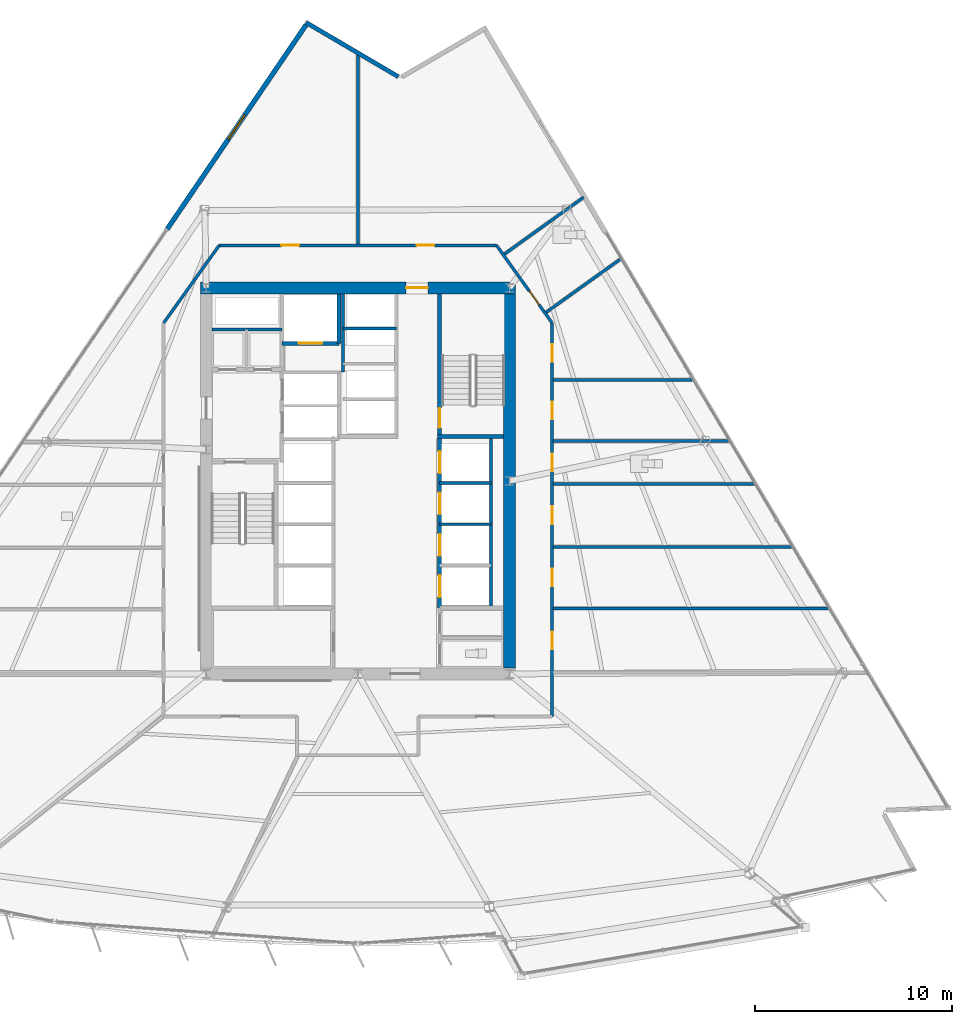
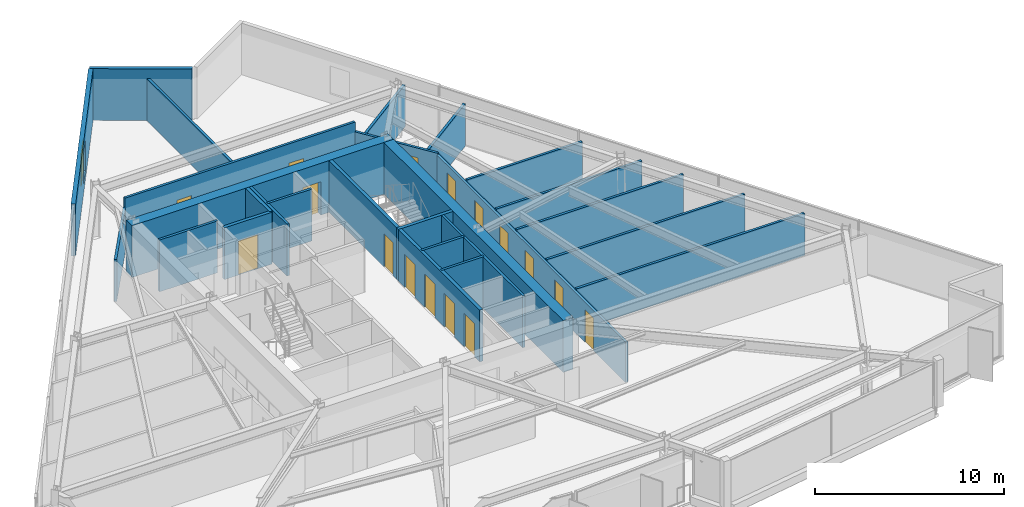
# One storey, part 10 of 18: 27 walls, 16 doors, 1 window, 17 openings.
"""IFC4 building model written with IfcOpenShell, lengths in metres."""

from ifc_helpers import new_model, si_unit, direction, frame, frame_2d, origin, place, context, subcontext, project, spatial, rectangle, extrude, material, layer, layer_set, type_object, element, fill, save


model = new_model("IFC4")

# Units and contexts
model_context = context("Model", 3, precision=1e-05, world=origin(), true_north=direction((0.0, 1.0)))
body_context = subcontext(model_context, "Body", "Model", "MODEL_VIEW")
ifc_project = project(units=[si_unit("LENGTHUNIT", "METRE"), si_unit("AREAUNIT", "SQUARE_METRE"), si_unit("VOLUMEUNIT", "CUBIC_METRE"), si_unit("PLANEANGLEUNIT", "RADIAN"), si_unit("MASSUNIT", "GRAM", prefix="KILO")], contexts=[model_context])

# Site, building, storey
site_placement = place(None, origin())
site = spatial("IfcSite", under=ifc_project, at=site_placement, CompositionType="ELEMENT")
building_placement = place(site_placement, origin())
building = spatial("IfcBuilding", under=site, at=building_placement, Name="Savorim Split Tower", CompositionType="ELEMENT")
storey_placement = place(building_placement, frame((0.0, 0.0, 48.0)))
storey = spatial("IfcBuildingStorey", under=building, at=storey_placement, Name="L12", CompositionType="ELEMENT", Elevation=48.0)

# Wall, opening, door
ifc_material_1 = material(Name="Concrete C60/75", Category="concrete")
ifc_layer_1 = layer(ifc_material_1, 0.60009765625)
ifc_layer_set_1 = layer_set([ifc_layer_1], Name="WAL-COR-SH600")
wall_type_1 = type_object("IfcWallType", Name="WAL-COR-SH600", PredefinedType="SHEAR", material=ifc_layer_set_1)
wall_1_placement = place(storey_placement, frame((8.0, 10.199951171875, 0.0), z_axis=(0.0, 0.0, 1.0), x_axis=(-1.0, 0.0, 0.0)))
wall_1 = element("IfcWall", 1, at=wall_1_placement, inside=storey, type_object=wall_type_1, Name="L12 Offset Core North Shear Wall", PredefinedType="SHEAR", context=body_context, shape_type="SweptSolid", body=[
    extrude(rectangle(XDim=16.0, YDim=0.60009765625, at=frame_2d((8.0, 0.0))), origin(), (0.0, 0.0, 1.0), 3.35009765625),
])
opening_1_placement = place(wall_1_placement, frame((4.449951171875, 0.0, 0.0)))
opening_1 = element("IfcOpeningElement", 2, at=opening_1_placement, cuts=wall_1, Name="Opening DI-03", PredefinedType="OPENING", context=body_context, shape_type="SweptSolid", body=[
    extrude(rectangle(XDim=1.10009765625, YDim=2.14990234375, at=frame_2d((0.550048828125, 1.074951171875))), frame((0.0, 0.31005859375, 0.0), z_axis=(0.0, -1.0, 0.0), x_axis=(1.0, 0.0, 0.0)), (0.0, 0.0, 1.0), 0.6201171875),
])
ifc_material_2 = material(Name="Timber Fire Door Leaf", Category="wood")
door_type_1 = type_object("IfcDoorType", Name="DOR-FIR-1100", OperationType="NOTDEFINED", PredefinedType="DOOR", material=ifc_material_2)
door_1_placement = place(opening_1_placement, origin())
door_1 = element("IfcDoor", 3, at=door_1_placement, inside=storey, type_object=door_type_1, Name="DOR-L12-COR-NLOB - L12 North Corridor Lobby Fire Door", OperationType="SINGLE_SWING_LEFT", OverallHeight=2.14990234375, OverallWidth=1.10009765625, PredefinedType="DOOR", context=body_context, shape_type="SweptSolid", body=[
    extrude(rectangle(XDim=1.10009765625, YDim=2.14990234375, at=frame_2d((0.550048828125, 1.074951171875))), frame((0.0, 0.02490234375, 0.0), z_axis=(0.0, -1.0, 0.0), x_axis=(1.0, 0.0, 0.0)), (0.0, 0.0, 1.0), 0.050048828125),
])
fill(opening_1, door_1)

# Walls
wall_2_placement = place(storey_placement, frame((7.699951171875, 9.89990234375, 0.0), z_axis=(0.0, 0.0, 1.0), x_axis=(0.0, -1.0, 0.0)))
element("IfcWall", 4, at=wall_2_placement, inside=storey, type_object=wall_type_1, Name="L12 Offset Core East Shear Wall", PredefinedType="SHEAR", context=body_context, shape_type="SweptSolid", body=[
    extrude(rectangle(XDim=19.0, YDim=0.60009765625, at=frame_2d((9.5, 0.0))), origin(), (0.0, 0.0, 1.0), 3.35009765625),
])
ifc_material_3 = material(Name="Precast concrete C40/50", Category="concrete")
ifc_layer_2 = layer(ifc_material_3, 0.219970703125)
ifc_layer_set_2 = layer_set([ifc_layer_2], Name="WAL-EXT-CRN220")
wall_type_2 = type_object("IfcWallType", Name="WAL-EXT-CRN220", PredefinedType="SOLIDWALL", material=ifc_layer_set_2)
wall_3_placement = place(storey_placement, frame((-2.634765625, 23.681396484375, 0.0), z_axis=(0.0, 0.0, 1.0), x_axis=(0.862126841454, -0.506692519428, 0.0)))
element("IfcWall", 5, at=wall_3_placement, inside=storey, type_object=wall_type_2, Name="L12 Notched Corner Facade Wall N", PredefinedType="SOLIDWALL", context=body_context, shape_type="SweptSolid", body=[
    extrude(rectangle(XDim=5.439453125, YDim=0.219970703125, at=frame_2d((2.7197265625, 0.0))), origin(), (0.0, 0.0, 1.0), 3.35009765625),
])

# Wall, opening, window
ifc_layer_3 = layer(ifc_material_3, 0.25)
ifc_layer_set_3 = layer_set([ifc_layer_3], Name="WAL-EXT-SPN250")
wall_type_3 = type_object("IfcWallType", Name="WAL-EXT-SPN250", PredefinedType="SOLIDWALL", material=ifc_layer_set_3)
wall_4_placement = place(storey_placement, frame((-9.68408203125, 13.19091796875, 0.0), z_axis=(0.0, 0.0, 1.0), x_axis=(0.562473549685, 0.826815279192, 0.0)))
wall_4 = element("IfcWall", 6, at=wall_4_placement, inside=storey, type_object=wall_type_3, Name="L12 West Operable Window Pier", PredefinedType="SOLIDWALL", context=body_context, shape_type="SweptSolid", body=[
    extrude(rectangle(XDim=12.53564453125, YDim=0.25, at=frame_2d((6.267822265625, 0.0))), origin(), (0.0, 0.0, 1.0), 3.35009765625),
])
opening_2_placement = place(wall_4_placement, frame((5.517822265625, 0.0, 0.6201171875)))
opening_2 = element("IfcOpeningElement", 7, at=opening_2_placement, cuts=wall_4, Name="Opening WN-06", PredefinedType="OPENING", context=body_context, shape_type="SweptSolid", body=[
    extrude(rectangle(XDim=1.5, YDim=2.0, at=frame_2d((0.75, 1.0))), frame((0.0, 0.135009765625, 0.0), z_axis=(0.0, -1.0, 0.0), x_axis=(1.0, 0.0, 0.0)), (0.0, 0.0, 1.0), 0.27001953125),
])
ifc_material_4 = material(Name="Low-E Operable Double Glazing", Category="glass")
window_type = type_object("IfcWindowType", Name="WIN-TWR-1500x2000", PartitioningType="SINGLE_PANEL", PredefinedType="WINDOW", material=ifc_material_4)
window_placement = place(opening_2_placement, origin())
window = element("IfcWindow", 8, at=window_placement, inside=storey, type_object=window_type, Name="L12 West Operable Ventilation Window", OverallHeight=2.0, OverallWidth=1.5, PartitioningType="SINGLE_PANEL", PredefinedType="WINDOW", context=body_context, shape_type="SweptSolid", body=[
    extrude(rectangle(XDim=1.5, YDim=2.0, at=frame_2d((0.75, 1.0))), frame((0.0, 0.030029296875, 0.0), z_axis=(0.0, -1.0, 0.0), x_axis=(1.0, 0.0, 0.0)), (0.0, 0.0, 1.0), 0.06005859375),
])
fill(opening_2, window)

# Wall, opening, door
ifc_material_5 = material(Name="Concrete C50/60", Category="concrete")
ifc_layer_4 = layer(ifc_material_5, 0.199951171875)
ifc_layer_set_4 = layer_set([ifc_layer_4], Name="WAL-INT-RC200")
wall_type_4 = type_object("IfcWallType", Name="WAL-INT-RC200", PredefinedType="SOLIDWALL", material=ifc_layer_set_4)
wall_5_placement = place(storey_placement, frame((4.14990234375, 2.75, 0.0), z_axis=(0.0, 0.0, 1.0), x_axis=(0.0, 1.0, 0.0)))
wall_5 = element("IfcWall", 9, at=wall_5_placement, inside=storey, type_object=wall_type_4, Name="L12 Structural Shaft Wall W-L12-CR07", PredefinedType="SOLIDWALL", context=body_context, shape_type="SweptSolid", body=[
    extrude(rectangle(XDim=7.14990234375, YDim=0.199951171875, at=frame_2d((3.574951171875, 0.0))), origin(), (0.0, 0.0, 1.0), 3.35009765625),
])
opening_3_placement = place(wall_5_placement, frame((0.35009765625, 0.0, 0.0)))
opening_3 = element("IfcOpeningElement", 10, at=opening_3_placement, cuts=wall_5, Name="Opening DI-04", PredefinedType="OPENING", context=body_context, shape_type="SweptSolid", body=[
    extrude(rectangle(XDim=1.0, YDim=2.14990234375, at=frame_2d((0.5, 1.074951171875))), frame((0.0, 0.10986328125, 0.0), z_axis=(0.0, -1.0, 0.0), x_axis=(1.0, 0.0, 0.0)), (0.0, 0.0, 1.0), 0.219970703125),
])
door_type_2 = type_object("IfcDoorType", Name="DOR-FIR-1000", OperationType="NOTDEFINED", PredefinedType="DOOR", material=ifc_material_2)
door_2_placement = place(opening_3_placement, origin())
door_2 = element("IfcDoor", 11, at=door_2_placement, inside=storey, type_object=door_type_2, Name="DR-L12-ST2 - L12 Stair ST-2 Enclosure Door", OperationType="SINGLE_SWING_RIGHT", OverallHeight=2.14990234375, OverallWidth=1.0, PredefinedType="DOOR", context=body_context, shape_type="SweptSolid", body=[
    extrude(rectangle(XDim=1.0, YDim=2.14990234375, at=frame_2d((0.5, 1.074951171875))), frame((0.0, 0.02490234375, 0.0), z_axis=(0.0, -1.0, 0.0), x_axis=(1.0, 0.0, 0.0)), (0.0, 0.0, 1.0), 0.050048828125),
])
fill(opening_3, door_2)

# Wall
wall_6_placement = place(storey_placement, frame((4.050048828125, 2.64990234375, 0.0), z_axis=(0.0, 0.0, 1.0), x_axis=(1.0, 0.0, 0.0)))
element("IfcWall", 12, at=wall_6_placement, inside=storey, type_object=wall_type_4, Name="L12 Structural Shaft Wall W-L12-CR08", PredefinedType="SOLIDWALL", context=body_context, shape_type="SweptSolid", body=[
    extrude(rectangle(XDim=3.349853515625, YDim=0.199951171875, at=frame_2d((1.6748046875, 0.0))), origin(), (0.0, 0.0, 1.0), 3.35009765625),
])

# Wall, opening, door
wall_7_placement = place(storey_placement, frame((-3.85009765625, 7.3798828125, 0.0), z_axis=(0.0, 0.0, 1.0), x_axis=(1.0, 0.0, 0.0)))
wall_7 = element("IfcWall", 13, at=wall_7_placement, inside=storey, type_object=wall_type_4, Name="L12 Partition W-L12-SVLS", PredefinedType="SOLIDWALL", context=body_context, shape_type="SweptSolid", body=[
    extrude(rectangle(XDim=2.900146484375, YDim=0.199951171875, at=frame_2d((1.4501953125, 0.0))), origin(), (0.0, 0.0, 1.0), 3.35009765625),
])
opening_4_placement = place(wall_7_placement, frame((0.85009765625, 0.0, 0.0)))
opening_4 = element("IfcOpeningElement", 14, at=opening_4_placement, cuts=wall_7, Name="Opening LD-SV", PredefinedType="OPENING", context=body_context, shape_type="SweptSolid", body=[
    extrude(rectangle(XDim=1.199951171875, YDim=2.199951171875, at=frame_2d((0.60009765625, 1.10009765625))), frame((0.0, 0.10986328125, 0.0), z_axis=(0.0, -1.0, 0.0), x_axis=(1.0, 0.0, 0.0)), (0.0, 0.0, 1.0), 0.219970703125),
])
ifc_material_6 = material(Name="Charcoal Anodised Aluminium", Category="aluminium")
door_type_3 = type_object("IfcDoorType", Name="DOR-SLD-SV1200", OperationType="NOTDEFINED", PredefinedType="DOOR", material=ifc_material_6)
door_3_placement = place(opening_4_placement, origin())
door_3 = element("IfcDoor", 15, at=door_3_placement, inside=storey, type_object=door_type_3, Name="DR-L12-LD-SVL1 - L12 Service Lift SVL-1 Sliding Landing Door", OperationType="DOUBLE_DOOR_SLIDING", OverallHeight=2.199951171875, OverallWidth=1.199951171875, PredefinedType="DOOR", context=body_context, shape_type="SweptSolid", body=[
    extrude(rectangle(XDim=1.199951171875, YDim=2.199951171875, at=frame_2d((0.60009765625, 1.10009765625))), frame((0.0, 0.02490234375, 0.0), z_axis=(0.0, -1.0, 0.0), x_axis=(1.0, 0.0, 0.0)), (0.0, 0.0, 1.0), 0.050048828125),
])
fill(opening_4, door_3)

# Wall
wall_8_placement = place(storey_placement, frame((-0.949951171875, 7.3798828125, 0.0), z_axis=(0.0, 0.0, 1.0), x_axis=(0.0, 1.0, 0.0)))
element("IfcWall", 16, at=wall_8_placement, inside=storey, type_object=wall_type_4, Name="L12 Partition W-L12-SVLE", PredefinedType="SOLIDWALL", context=body_context, shape_type="SweptSolid", body=[
    extrude(rectangle(XDim=2.51513671875, YDim=0.199951171875, at=frame_2d((1.257568359375, 0.0))), origin(), (0.0, 0.0, 1.0), 3.35009765625),
])

# Wall, openings, doors
wall_9_placement = place(storey_placement, frame((4.14990234375, -6.050048828125, 0.0), z_axis=(0.0, 0.0, 1.0), x_axis=(0.0, 1.0, 0.0)))
wall_9 = element("IfcWall", 17, at=wall_9_placement, inside=storey, type_object=wall_type_4, Name="L12 Partition W-L12-B1FRONT", PredefinedType="SOLIDWALL", context=body_context, shape_type="SweptSolid", body=[
    extrude(rectangle(XDim=8.699951171875, YDim=0.199951171875, at=frame_2d((4.35009765625, 0.0))), origin(), (0.0, 0.0, 1.0), 3.35009765625),
])
opening_5_placement = place(wall_9_placement, frame((0.550048828125, 0.0, 0.0)))
opening_5 = element("IfcOpeningElement", 18, at=opening_5_placement, cuts=wall_9, Name="Opening LD-01", PredefinedType="OPENING", context=body_context, shape_type="SweptSolid", body=[
    extrude(rectangle(XDim=1.10009765625, YDim=2.14990234375, at=frame_2d((0.550048828125, 1.074951171875))), frame((0.0, 0.10986328125, 0.0), z_axis=(0.0, -1.0, 0.0), x_axis=(1.0, 0.0, 0.0)), (0.0, 0.0, 1.0), 0.219970703125),
])
opening_6_placement = place(wall_9_placement, frame((2.64990234375, 0.0, 0.0)))
opening_6 = element("IfcOpeningElement", 19, at=opening_6_placement, cuts=wall_9, Name="Opening LD-01", PredefinedType="OPENING", context=body_context, shape_type="SweptSolid", body=[
    extrude(rectangle(XDim=1.10009765625, YDim=2.14990234375, at=frame_2d((0.550048828125, 1.074951171875))), frame((0.0, 0.10986328125, 0.0), z_axis=(0.0, -1.0, 0.0), x_axis=(1.0, 0.0, 0.0)), (0.0, 0.0, 1.0), 0.219970703125),
])
opening_7_placement = place(wall_9_placement, frame((4.75, 0.0, 0.0)))
opening_7 = element("IfcOpeningElement", 20, at=opening_7_placement, cuts=wall_9, Name="Opening LD-01", PredefinedType="OPENING", context=body_context, shape_type="SweptSolid", body=[
    extrude(rectangle(XDim=1.10009765625, YDim=2.14990234375, at=frame_2d((0.550048828125, 1.074951171875))), frame((0.0, 0.10986328125, 0.0), z_axis=(0.0, -1.0, 0.0), x_axis=(1.0, 0.0, 0.0)), (0.0, 0.0, 1.0), 0.219970703125),
])
opening_8_placement = place(wall_9_placement, frame((6.85009765625, 0.0, 0.0)))
opening_8 = element("IfcOpeningElement", 21, at=opening_8_placement, cuts=wall_9, Name="Opening LD-01", PredefinedType="OPENING", context=body_context, shape_type="SweptSolid", body=[
    extrude(rectangle(XDim=1.10009765625, YDim=2.14990234375, at=frame_2d((0.550048828125, 1.074951171875))), frame((0.0, 0.10986328125, 0.0), z_axis=(0.0, -1.0, 0.0), x_axis=(1.0, 0.0, 0.0)), (0.0, 0.0, 1.0), 0.219970703125),
])
door_type_4 = type_object("IfcDoorType", Name="DOR-SLD-LD1100", OperationType="NOTDEFINED", PredefinedType="DOOR", material=ifc_material_6)
door_4_placement = place(opening_5_placement, origin())
door_4 = element("IfcDoor", 22, at=door_4_placement, inside=storey, type_object=door_type_4, Name="DR-L12-LD-PLL1 - L12 Lift PL-L1 Sliding Landing Door", OperationType="DOUBLE_DOOR_SLIDING", OverallHeight=2.14990234375, OverallWidth=1.10009765625, PredefinedType="DOOR", context=body_context, shape_type="SweptSolid", body=[
    extrude(rectangle(XDim=1.10009765625, YDim=2.14990234375, at=frame_2d((0.550048828125, 1.074951171875))), frame((0.0, 0.02490234375, 0.0), z_axis=(0.0, -1.0, 0.0), x_axis=(1.0, 0.0, 0.0)), (0.0, 0.0, 1.0), 0.050048828125),
])
fill(opening_5, door_4)
door_5_placement = place(opening_6_placement, origin())
door_5 = element("IfcDoor", 23, at=door_5_placement, inside=storey, type_object=door_type_4, Name="DR-L12-LD-PLL2 - L12 Lift PL-L2 Sliding Landing Door", OperationType="DOUBLE_DOOR_SLIDING", OverallHeight=2.14990234375, OverallWidth=1.10009765625, PredefinedType="DOOR", context=body_context, shape_type="SweptSolid", body=[
    extrude(rectangle(XDim=1.10009765625, YDim=2.14990234375, at=frame_2d((0.550048828125, 1.074951171875))), frame((0.0, 0.02490234375, 0.0), z_axis=(0.0, -1.0, 0.0), x_axis=(1.0, 0.0, 0.0)), (0.0, 0.0, 1.0), 0.050048828125),
])
fill(opening_6, door_5)
door_6_placement = place(opening_7_placement, origin())
door_6 = element("IfcDoor", 24, at=door_6_placement, inside=storey, type_object=door_type_4, Name="DR-L12-LD-PLL3 - L12 Lift PL-L3 Sliding Landing Door", OperationType="DOUBLE_DOOR_SLIDING", OverallHeight=2.14990234375, OverallWidth=1.10009765625, PredefinedType="DOOR", context=body_context, shape_type="SweptSolid", body=[
    extrude(rectangle(XDim=1.10009765625, YDim=2.14990234375, at=frame_2d((0.550048828125, 1.074951171875))), frame((0.0, 0.02490234375, 0.0), z_axis=(0.0, -1.0, 0.0), x_axis=(1.0, 0.0, 0.0)), (0.0, 0.0, 1.0), 0.050048828125),
])
fill(opening_7, door_6)
door_7_placement = place(opening_8_placement, origin())
door_7 = element("IfcDoor", 25, at=door_7_placement, inside=storey, type_object=door_type_4, Name="DR-L12-LD-PLL4 - L12 Lift PL-L4 Sliding Landing Door", OperationType="DOUBLE_DOOR_SLIDING", OverallHeight=2.14990234375, OverallWidth=1.10009765625, PredefinedType="DOOR", context=body_context, shape_type="SweptSolid", body=[
    extrude(rectangle(XDim=1.10009765625, YDim=2.14990234375, at=frame_2d((0.550048828125, 1.074951171875))), frame((0.0, 0.02490234375, 0.0), z_axis=(0.0, -1.0, 0.0), x_axis=(1.0, 0.0, 0.0)), (0.0, 0.0, 1.0), 0.050048828125),
])
fill(opening_8, door_7)

# Walls
ifc_material_7 = material(Name="Acoustic Gypsum Partition Board")
ifc_layer_5 = layer(ifc_material_7, 0.14990234375)
ifc_layer_set_5 = layer_set([ifc_layer_5], Name="WAL-PAR-150")
wall_type_5 = type_object("IfcWallType", Name="WAL-PAR-150", PredefinedType="PARTITIONING", material=ifc_layer_set_5)
wall_10_placement = place(storey_placement, frame((-7.39501953125, 8.10009765625, 0.0), z_axis=(0.0, 0.0, 1.0), x_axis=(1.0, 0.0, 0.0)))
element("IfcWall", 26, at=wall_10_placement, inside=storey, type_object=wall_type_5, Name="L12 Partition W-L12-CR05", PredefinedType="PARTITIONING", context=body_context, shape_type="SweptSolid", body=[
    extrude(rectangle(XDim=3.544921875, YDim=0.14990234375, at=frame_2d((1.7724609375, 0.0))), origin(), (0.0, 0.0, 1.0), 3.35009765625),
])
wall_11_placement = place(storey_placement, frame((6.75, -6.050048828125, 0.0), z_axis=(0.0, 0.0, 1.0), x_axis=(0.0, 1.0, 0.0)))
element("IfcWall", 27, at=wall_11_placement, inside=storey, type_object=wall_type_5, Name="L12 Partition W-L12-B1BACK", PredefinedType="PARTITIONING", context=body_context, shape_type="SweptSolid", body=[
    extrude(rectangle(XDim=8.699951171875, YDim=0.14990234375, at=frame_2d((4.35009765625, 0.0))), origin(), (0.0, 0.0, 1.0), 3.35009765625),
])
for number, where, z_axis, x_axis, name in (
    (28, (4.14990234375, -1.800048828125, 0.0), (0.0, 0.0, 1.0), (1.0, 0.0, 0.0), "L12 Partition W-L12-B1DIV2"),
    (29, (4.14990234375, 0.300048828125, 0.0), (0.0, 0.0, 1.0), (1.0, 0.0, 0.0), "L12 Partition W-L12-B1DIV3"),
):
    element("IfcWall", number, at=place(storey_placement, frame(where, z_axis=z_axis, x_axis=x_axis)), inside=storey, type_object=wall_type_5, Name=name, PredefinedType="PARTITIONING", context=body_context, shape_type="SweptSolid", body=[
        extrude(rectangle(XDim=2.60009765625, YDim=0.14990234375, at=frame_2d((1.300048828125, 0.0))), origin(), (0.0, 0.0, 1.0), 3.35009765625),
    ])
wall_12_placement = place(storey_placement, frame((-0.75, 5.919921875, 0.0), z_axis=(0.0, 0.0, 1.0), x_axis=(0.0, 1.0, 0.0)))
element("IfcWall", 30, at=wall_12_placement, inside=storey, type_object=wall_type_5, Name="L12 Partition W-L12-B3WEST", PredefinedType="PARTITIONING", context=body_context, shape_type="SweptSolid", body=[
    extrude(rectangle(XDim=3.97509765625, YDim=0.14990234375, at=frame_2d((1.987548828125, 0.0))), origin(), (0.0, 0.0, 1.0), 3.35009765625),
])
wall_13_placement = place(storey_placement, frame((-0.75, 8.14990234375, 0.0), z_axis=(0.0, 0.0, 1.0), x_axis=(1.0, 0.0, 0.0)))
element("IfcWall", 31, at=wall_13_placement, inside=storey, type_object=wall_type_5, Name="L12 Partition W-L12-B3DIV3", PredefinedType="PARTITIONING", context=body_context, shape_type="SweptSolid", body=[
    extrude(rectangle(XDim=2.699951171875, YDim=0.14990234375, at=frame_2d((1.35009765625, 0.0))), origin(), (0.0, 0.0, 1.0), 3.35009765625),
])
wall_14_placement = place(storey_placement, frame((-9.860107421875, 8.42578125, 0.0), z_axis=(0.0, 0.0, 1.0), x_axis=(0.582449511476, 0.812866881218, 0.0)))
element("IfcWall", 32, at=wall_14_placement, inside=storey, type_object=wall_type_5, Name="L12 Partition W-L12-COR-02", PredefinedType="PARTITIONING", context=body_context, shape_type="SweptSolid", body=[
    extrude(rectangle(XDim=4.840087890625, YDim=0.14990234375, at=frame_2d((2.419921875, 0.0))), origin(), (0.0, 0.0, 1.0), 2.72509765625),
])

# Wall, openings, doors
wall_15_placement = place(storey_placement, frame((-7.041015625, 12.360107421875, 0.0), z_axis=(0.0, 0.0, 1.0), x_axis=(1.0, 0.0, 0.0)))
wall_15 = element("IfcWall", 33, at=wall_15_placement, inside=storey, type_object=wall_type_5, Name="L12 Partition W-L12-COR-03", PredefinedType="PARTITIONING", context=body_context, shape_type="SweptSolid", body=[
    extrude(rectangle(XDim=14.08203125, YDim=0.14990234375, at=frame_2d((7.041015625, 0.0))), origin(), (0.0, 0.0, 1.0), 3.35009765625),
])
opening_9_placement = place(wall_15_placement, frame((10.02392578125, 0.0, 0.0)))
opening_9 = element("IfcOpeningElement", 34, at=opening_9_placement, cuts=wall_15, Name="Opening DI-06", PredefinedType="OPENING", context=body_context, shape_type="SweptSolid", body=[
    extrude(rectangle(XDim=0.89990234375, YDim=2.10009765625, at=frame_2d((0.449951171875, 1.050048828125))), frame((0.0, 0.0849609375, 0.0), z_axis=(0.0, -1.0, 0.0), x_axis=(1.0, 0.0, 0.0)), (0.0, 0.0, 1.0), 0.169921875),
])
opening_10_placement = place(wall_15_placement, frame((3.1611328125, 0.0, 0.0)))
opening_10 = element("IfcOpeningElement", 35, at=opening_10_placement, cuts=wall_15, Name="Opening DI-06", PredefinedType="OPENING", context=body_context, shape_type="SweptSolid", body=[
    extrude(rectangle(XDim=0.89990234375, YDim=2.10009765625, at=frame_2d((0.449951171875, 1.050048828125))), frame((0.0, 0.0849609375, 0.0), z_axis=(0.0, -1.0, 0.0), x_axis=(1.0, 0.0, 0.0)), (0.0, 0.0, 1.0), 0.169921875),
])
door_type_5 = type_object("IfcDoorType", Name="DOR-FIR-900", OperationType="NOTDEFINED", PredefinedType="DOOR", material=ifc_material_2)
door_8_placement = place(opening_9_placement, origin())
door_8 = element("IfcDoor", 36, at=door_8_placement, inside=storey, type_object=door_type_5, Name="DR-L12-RM14 - L12 Co-Working Commons Entry Door", OperationType="SINGLE_SWING_LEFT", OverallHeight=2.10009765625, OverallWidth=0.89990234375, PredefinedType="DOOR", context=body_context, shape_type="SweptSolid", body=[
    extrude(rectangle(XDim=0.89990234375, YDim=2.10009765625, at=frame_2d((0.449951171875, 1.050048828125))), frame((0.0, 0.02490234375, 0.0), z_axis=(0.0, -1.0, 0.0), x_axis=(1.0, 0.0, 0.0)), (0.0, 0.0, 1.0), 0.050048828125),
])
fill(opening_9, door_8)
door_9_placement = place(opening_10_placement, origin())
door_9 = element("IfcDoor", 37, at=door_9_placement, inside=storey, type_object=door_type_5, Name="DR-L12-RM15 - L12 Co-Working Commons Entry Door", OperationType="SINGLE_SWING_RIGHT", OverallHeight=2.10009765625, OverallWidth=0.89990234375, PredefinedType="DOOR", context=body_context, shape_type="SweptSolid", body=[
    extrude(rectangle(XDim=0.89990234375, YDim=2.10009765625, at=frame_2d((0.449951171875, 1.050048828125))), frame((0.0, 0.02490234375, 0.0), z_axis=(0.0, -1.0, 0.0), x_axis=(1.0, 0.0, 0.0)), (0.0, 0.0, 1.0), 0.050048828125),
])
fill(opening_10, door_9)

# Wall, opening, door
wall_16_placement = place(storey_placement, frame((7.041015625, 12.360107421875, 0.0), z_axis=(0.0, 0.0, 1.0), x_axis=(0.582449511476, -0.812866881218, 0.0)))
wall_16 = element("IfcWall", 38, at=wall_16_placement, inside=storey, type_object=wall_type_5, Name="L12 Partition W-L12-COR-04", PredefinedType="PARTITIONING", context=body_context, shape_type="SweptSolid", body=[
    extrude(rectangle(XDim=4.840087890625, YDim=0.14990234375, at=frame_2d((2.419921875, 0.0))), origin(), (0.0, 0.0, 1.0), 2.72509765625),
])
opening_11_placement = place(wall_16_placement, frame((2.85986328125, 0.0, 0.0)))
opening_11 = element("IfcOpeningElement", 39, at=opening_11_placement, cuts=wall_16, Name="Opening DI-13", PredefinedType="OPENING", context=body_context, shape_type="SweptSolid", body=[
    extrude(rectangle(XDim=0.85009765625, YDim=2.10009765625, at=frame_2d((0.425048828125, 1.050048828125))), frame((0.0, 0.0849609375, 0.0), z_axis=(0.0, -1.0, 0.0), x_axis=(1.0, 0.0, 0.0)), (0.0, 0.0, 1.0), 0.169921875),
])
door_type_6 = type_object("IfcDoorType", Name="DOR-FIR-850", OperationType="NOTDEFINED", PredefinedType="DOOR", material=ifc_material_2)
door_10_placement = place(opening_11_placement, origin())
door_10 = element("IfcDoor", 40, at=door_10_placement, inside=storey, type_object=door_type_6, Name="DR-L12-RM13 - L12 Shared Bathroom Entry Door", OperationType="SINGLE_SWING_RIGHT", OverallHeight=2.10009765625, OverallWidth=0.85009765625, PredefinedType="DOOR", context=body_context, shape_type="SweptSolid", body=[
    extrude(rectangle(XDim=0.85009765625, YDim=2.10009765625, at=frame_2d((0.425048828125, 1.050048828125))), frame((0.0, 0.02490234375, 0.0), z_axis=(0.0, -1.0, 0.0), x_axis=(1.0, 0.0, 0.0)), (0.0, 0.0, 1.0), 0.050048828125),
])
fill(opening_11, door_10)

# Wall, openings, doors
wall_17_placement = place(storey_placement, frame((9.860107421875, 8.42578125, 0.0), z_axis=(0.0, 0.0, 1.0), x_axis=(0.0, -1.0, 0.0)))
wall_17 = element("IfcWall", 41, at=wall_17_placement, inside=storey, type_object=wall_type_5, Name="L12 Partition W-L12-COR-05", PredefinedType="PARTITIONING", context=body_context, shape_type="SweptSolid", body=[
    extrude(rectangle(XDim=19.98583984375, YDim=0.14990234375, at=frame_2d((9.992919921875, 0.0))), origin(), (0.0, 0.0, 1.0), 2.60888671875),
])
opening_12_placement = place(wall_17_placement, frame((15.6806640625, 0.0, 0.0)))
opening_12 = element("IfcOpeningElement", 42, at=opening_12_placement, cuts=wall_17, Name="Opening DI-06", PredefinedType="OPENING", context=body_context, shape_type="SweptSolid", body=[
    extrude(rectangle(XDim=0.89990234375, YDim=2.10009765625, at=frame_2d((0.449951171875, 1.050048828125))), frame((0.0, 0.0849609375, 0.0), z_axis=(0.0, -1.0, 0.0), x_axis=(1.0, 0.0, 0.0)), (0.0, 0.0, 1.0), 0.169921875),
])
opening_13_placement = place(wall_17_placement, frame((12.4833984375, 0.0, 0.0)))
opening_13 = element("IfcOpeningElement", 43, at=opening_13_placement, cuts=wall_17, Name="Opening DI-06", PredefinedType="OPENING", context=body_context, shape_type="SweptSolid", body=[
    extrude(rectangle(XDim=0.89990234375, YDim=2.10009765625, at=frame_2d((0.449951171875, 1.050048828125))), frame((0.0, 0.0849609375, 0.0), z_axis=(0.0, -1.0, 0.0), x_axis=(1.0, 0.0, 0.0)), (0.0, 0.0, 1.0), 0.169921875),
])
opening_14_placement = place(wall_17_placement, frame((9.32177734375, 0.0, 0.0)))
opening_14 = element("IfcOpeningElement", 44, at=opening_14_placement, cuts=wall_17, Name="Opening DI-06", PredefinedType="OPENING", context=body_context, shape_type="SweptSolid", body=[
    extrude(rectangle(XDim=0.89990234375, YDim=2.10009765625, at=frame_2d((0.449951171875, 1.050048828125))), frame((0.0, 0.0849609375, 0.0), z_axis=(0.0, -1.0, 0.0), x_axis=(1.0, 0.0, 0.0)), (0.0, 0.0, 1.0), 0.169921875),
])
opening_15_placement = place(wall_17_placement, frame((6.636474609375, 0.0, 0.0)))
opening_15 = element("IfcOpeningElement", 45, at=opening_15_placement, cuts=wall_17, Name="Opening DI-11", PredefinedType="OPENING", context=body_context, shape_type="SweptSolid", body=[
    extrude(rectangle(XDim=0.89990234375, YDim=2.10009765625, at=frame_2d((0.449951171875, 1.050048828125))), frame((0.0, 0.0849609375, 0.0), z_axis=(0.0, -1.0, 0.0), x_axis=(1.0, 0.0, 0.0)), (0.0, 0.0, 1.0), 0.169921875),
])
opening_16_placement = place(wall_17_placement, frame((3.9970703125, 0.0, 0.0)))
opening_16 = element("IfcOpeningElement", 46, at=opening_16_placement, cuts=wall_17, Name="Opening DI-06", PredefinedType="OPENING", context=body_context, shape_type="SweptSolid", body=[
    extrude(rectangle(XDim=0.89990234375, YDim=2.10009765625, at=frame_2d((0.449951171875, 1.050048828125))), frame((0.0, 0.0849609375, 0.0), z_axis=(0.0, -1.0, 0.0), x_axis=(1.0, 0.0, 0.0)), (0.0, 0.0, 1.0), 0.169921875),
])
opening_17_placement = place(wall_17_placement, frame((1.086181640625, 0.0, 0.0)))
opening_17 = element("IfcOpeningElement", 47, at=opening_17_placement, cuts=wall_17, Name="Opening DI-06", PredefinedType="OPENING", context=body_context, shape_type="SweptSolid", body=[
    extrude(rectangle(XDim=0.89990234375, YDim=2.10009765625, at=frame_2d((0.449951171875, 1.050048828125))), frame((0.0, 0.0849609375, 0.0), z_axis=(0.0, -1.0, 0.0), x_axis=(1.0, 0.0, 0.0)), (0.0, 0.0, 1.0), 0.169921875),
])
door_11_placement = place(opening_12_placement, origin())
door_11 = element("IfcDoor", 48, at=door_11_placement, inside=storey, type_object=door_type_5, Name="DR-L12-RM07 - L12 Quiet Study Room Entry Door", OperationType="SINGLE_SWING_RIGHT", OverallHeight=2.10009765625, OverallWidth=0.89990234375, PredefinedType="DOOR", context=body_context, shape_type="SweptSolid", body=[
    extrude(rectangle(XDim=0.89990234375, YDim=2.10009765625, at=frame_2d((0.449951171875, 1.050048828125))), frame((0.0, 0.02490234375, 0.0), z_axis=(0.0, -1.0, 0.0), x_axis=(1.0, 0.0, 0.0)), (0.0, 0.0, 1.0), 0.050048828125),
])
fill(opening_12, door_11)
door_12_placement = place(opening_13_placement, origin())
door_12 = element("IfcDoor", 49, at=door_12_placement, inside=storey, type_object=door_type_5, Name="DR-L12-RM08 - L12 Quiet Study Room Entry Door", OperationType="SINGLE_SWING_LEFT", OverallHeight=2.10009765625, OverallWidth=0.89990234375, PredefinedType="DOOR", context=body_context, shape_type="SweptSolid", body=[
    extrude(rectangle(XDim=0.89990234375, YDim=2.10009765625, at=frame_2d((0.449951171875, 1.050048828125))), frame((0.0, 0.02490234375, 0.0), z_axis=(0.0, -1.0, 0.0), x_axis=(1.0, 0.0, 0.0)), (0.0, 0.0, 1.0), 0.050048828125),
])
fill(opening_13, door_12)
door_13_placement = place(opening_14_placement, origin())
door_13 = element("IfcDoor", 50, at=door_13_placement, inside=storey, type_object=door_type_5, Name="DR-L12-RM09 - L12 Quiet Study Room Entry Door", OperationType="SINGLE_SWING_RIGHT", OverallHeight=2.10009765625, OverallWidth=0.89990234375, PredefinedType="DOOR", context=body_context, shape_type="SweptSolid", body=[
    extrude(rectangle(XDim=0.89990234375, YDim=2.10009765625, at=frame_2d((0.449951171875, 1.050048828125))), frame((0.0, 0.02490234375, 0.0), z_axis=(0.0, -1.0, 0.0), x_axis=(1.0, 0.0, 0.0)), (0.0, 0.0, 1.0), 0.050048828125),
])
fill(opening_14, door_13)
door_14_placement = place(opening_16_placement, origin())
door_14 = element("IfcDoor", 51, at=door_14_placement, inside=storey, type_object=door_type_5, Name="DR-L12-RM11 - L12 Maker Workshop Entry Door", OperationType="SINGLE_SWING_RIGHT", OverallHeight=2.10009765625, OverallWidth=0.89990234375, PredefinedType="DOOR", context=body_context, shape_type="SweptSolid", body=[
    extrude(rectangle(XDim=0.89990234375, YDim=2.10009765625, at=frame_2d((0.449951171875, 1.050048828125))), frame((0.0, 0.02490234375, 0.0), z_axis=(0.0, -1.0, 0.0), x_axis=(1.0, 0.0, 0.0)), (0.0, 0.0, 1.0), 0.050048828125),
])
fill(opening_16, door_14)
door_15_placement = place(opening_17_placement, origin())
door_15 = element("IfcDoor", 52, at=door_15_placement, inside=storey, type_object=door_type_5, Name="DR-L12-RM12 - L12 Quiet Study Room Entry Door", OperationType="SINGLE_SWING_LEFT", OverallHeight=2.10009765625, OverallWidth=0.89990234375, PredefinedType="DOOR", context=body_context, shape_type="SweptSolid", body=[
    extrude(rectangle(XDim=0.89990234375, YDim=2.10009765625, at=frame_2d((0.449951171875, 1.050048828125))), frame((0.0, 0.02490234375, 0.0), z_axis=(0.0, -1.0, 0.0), x_axis=(1.0, 0.0, 0.0)), (0.0, 0.0, 1.0), 0.050048828125),
])
fill(opening_17, door_15)
ifc_material_8 = material(Name="Oak Veneer Acoustic Door")
door_type_7 = type_object("IfcDoorType", Name="DOR-WC-900", OperationType="NOTDEFINED", PredefinedType="DOOR", material=ifc_material_8)
door_16_placement = place(opening_15_placement, origin())
door_16 = element("IfcDoor", 53, at=door_16_placement, inside=storey, type_object=door_type_7, Name="DR-L12-RM10 - L12 Shared Bathroom Entry Door", OperationType="SINGLE_SWING_LEFT", OverallHeight=2.10009765625, OverallWidth=0.89990234375, PredefinedType="DOOR", context=body_context, shape_type="SweptSolid", body=[
    extrude(rectangle(XDim=0.89990234375, YDim=2.10009765625, at=frame_2d((0.449951171875, 1.050048828125))), frame((0.0, 0.02490234375, 0.0), z_axis=(0.0, -1.0, 0.0), x_axis=(1.0, 0.0, 0.0)), (0.0, 0.0, 1.0), 0.050048828125),
])
fill(opening_15, door_16)

# Walls
wall_18_placement = place(storey_placement, frame((9.919921875, 2.426025390625, 0.0), z_axis=(0.0, 0.0, 1.0), x_axis=(1.0, 0.0, 0.0)))
element("IfcWall", 54, at=wall_18_placement, inside=storey, type_object=wall_type_5, Name="L12 Partition W-L12-PRAD06", PredefinedType="PARTITIONING", context=body_context, shape_type="SweptSolid", body=[
    extrude(rectangle(XDim=8.904052734375, YDim=0.14990234375, at=frame_2d((4.4521484375, 0.0))), origin(), (0.0, 0.0, 1.0), 2.735107421875),
])
wall_19_placement = place(storey_placement, frame((7.433837890625, 11.914794921875, 0.0), z_axis=(0.0, 0.0, 1.0), x_axis=(0.812890943838, 0.582415928205, 0.0)))
element("IfcWall", 55, at=wall_19_placement, inside=storey, type_object=wall_type_5, Name="L12 Partition W-L12-PRAD07", PredefinedType="PARTITIONING", context=body_context, shape_type="SweptSolid", body=[
    extrude(rectangle(XDim=4.95849609375, YDim=0.14990234375, at=frame_2d((2.479248046875, 0.0))), origin(), (0.0, 0.0, 1.0), 2.72509765625),
])
wall_20_placement = place(storey_placement, frame((9.919921875, -2.944580078125, 0.0), z_axis=(0.0, 0.0, 1.0), x_axis=(1.0, 0.0, 0.0)))
element("IfcWall", 56, at=wall_20_placement, inside=storey, type_object=wall_type_5, Name="L12 Partition W-L12-SUB02", PredefinedType="PARTITIONING", context=body_context, shape_type="SweptSolid", body=[
    extrude(rectangle(XDim=12.09765625, YDim=0.14990234375, at=frame_2d((6.048828125, 0.0))), origin(), (0.0, 0.0, 1.0), 2.72509765625),
])
wall_21_placement = place(storey_placement, frame((9.552978515625, 8.957275390625, 0.0), z_axis=(0.0, 0.0, 1.0), x_axis=(0.812884279405, 0.58242522979, 0.0)))
element("IfcWall", 57, at=wall_21_placement, inside=storey, type_object=wall_type_5, Name="L12 Partition W-L12-SUB03", PredefinedType="PARTITIONING", context=body_context, shape_type="SweptSolid", body=[
    extrude(rectangle(XDim=4.6474609375, YDim=0.14990234375, at=frame_2d((2.32373046875, 0.0))), origin(), (0.0, 0.0, 1.0), 2.735107421875),
])
wall_22_placement = place(storey_placement, frame((9.919921875, -6.07080078125, 0.0), z_axis=(0.0, 0.0, 1.0), x_axis=(1.0, 0.0, 0.0)))
element("IfcWall", 58, at=wall_22_placement, inside=storey, type_object=wall_type_5, Name="L12 Partition W-L12-SUB06", PredefinedType="PARTITIONING", context=body_context, shape_type="SweptSolid", body=[
    extrude(rectangle(XDim=13.95654296875, YDim=0.14990234375, at=frame_2d((6.978271484375, 0.0))), origin(), (0.0, 0.0, 1.0), 2.72509765625),
])
wall_23_placement = place(storey_placement, frame((9.919921875, 0.252685546875, 0.0), z_axis=(0.0, 0.0, 1.0), x_axis=(1.0, 0.0, 0.0)))
element("IfcWall", 59, at=wall_23_placement, inside=storey, type_object=wall_type_5, Name="L12 Partition W-L12-SUB07", PredefinedType="PARTITIONING", context=body_context, shape_type="SweptSolid", body=[
    extrude(rectangle(XDim=10.196533203125, YDim=0.14990234375, at=frame_2d((5.09814453125, 0.0))), origin(), (0.0, 0.0, 1.0), 2.72509765625),
])
wall_24_placement = place(storey_placement, frame((9.919921875, 5.531494140625, 0.0), z_axis=(0.0, 0.0, 1.0), x_axis=(1.0, 0.0, 0.0)))
element("IfcWall", 60, at=wall_24_placement, inside=storey, type_object=wall_type_5, Name="L12 Partition W-L12-SUB08", PredefinedType="PARTITIONING", context=body_context, shape_type="SweptSolid", body=[
    extrude(rectangle(XDim=7.0576171875, YDim=0.14990234375, at=frame_2d((3.52880859375, 0.0))), origin(), (0.0, 0.0, 1.0), 2.735107421875),
])
wall_25_placement = place(storey_placement, frame((0.0029296875, 12.419921875, 0.0), z_axis=(0.0, 0.0, 1.0), x_axis=(0.0, 1.0, 0.0)))
element("IfcWall", 61, at=wall_25_placement, inside=storey, type_object=wall_type_5, Name="L12 Partition W-L12-SUB09", PredefinedType="PARTITIONING", context=body_context, shape_type="SweptSolid", body=[
    extrude(rectangle(XDim=9.653076171875, YDim=0.14990234375, at=frame_2d((4.82666015625, 0.0))), origin(), (0.0, 0.0, 1.0), 2.735107421875),
])

save(model, "model.ifc")
